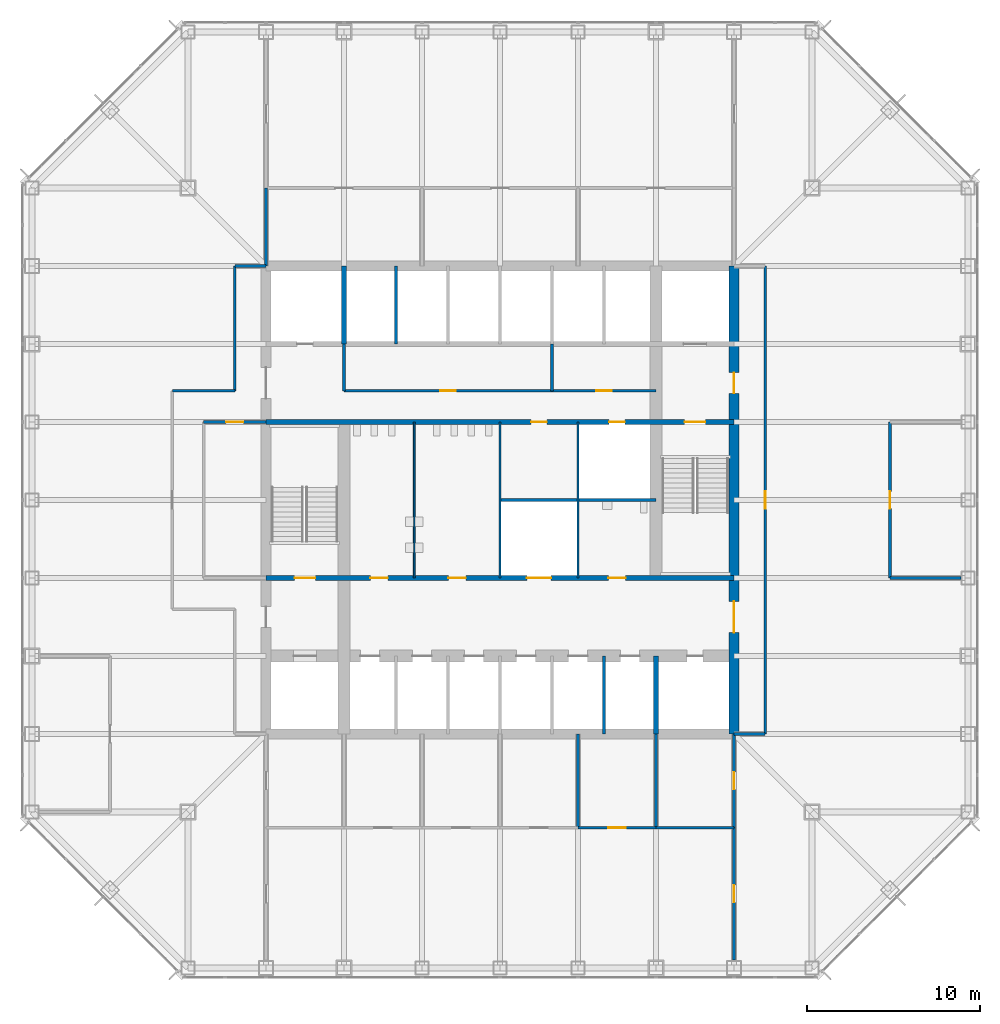
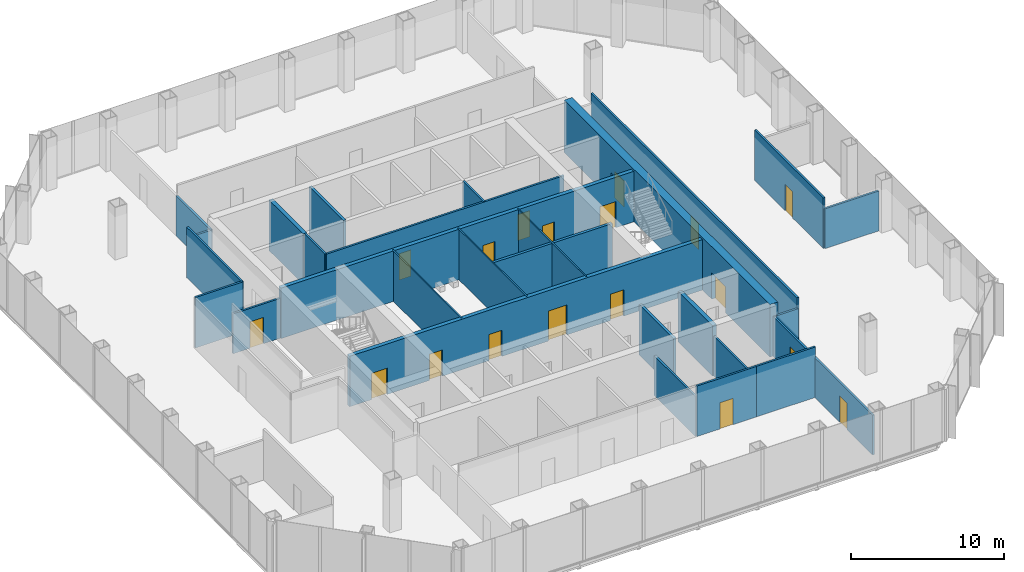
# One storey, part 9 of 12: 29 walls, 18 doors, 18 openings.
"""IFC4 building model written with IfcOpenShell, lengths in metres."""

from ifc_helpers import new_model, si_unit, direction, frame, frame_2d, origin, place, context, subcontext, project, spatial, rectangle, extrude, material, layer, layer_set, type_object, element, fill, save


model = new_model("IFC4")

# Units and contexts
model_context = context("Model", 3, precision=1e-05, world=origin(), true_north=direction((0.0, 1.0)))
body_context = subcontext(model_context, "Body", "Model", "MODEL_VIEW")
ifc_project = project(units=[si_unit("LENGTHUNIT", "METRE"), si_unit("AREAUNIT", "SQUARE_METRE"), si_unit("VOLUMEUNIT", "CUBIC_METRE"), si_unit("PLANEANGLEUNIT", "RADIAN"), si_unit("MASSUNIT", "GRAM", prefix="KILO")], contexts=[model_context])

# Site, building, storey
site_placement = place(None, origin())
site = spatial("IfcSite", under=ifc_project, at=site_placement, CompositionType="ELEMENT")
building_placement = place(site_placement, origin())
building = spatial("IfcBuilding", under=site, at=building_placement, Name="Corais Broadcast Tower", CompositionType="ELEMENT")
storey_placement = place(building_placement, frame((0.0, 0.0, 54.199951171875)))
storey = spatial("IfcBuildingStorey", under=building, at=storey_placement, Name="L11", CompositionType="ELEMENT", Elevation=54.199951171875)

# Walls
ifc_material_1 = material(Name="Concrete blockwork class A, grouted, two-hour", Category="masonry")
ifc_layer_1 = layer(ifc_material_1, 0.300048828125)
ifc_layer_set_1 = layer_set([ifc_layer_1], Name="Concrete blockwork class A, grouted, two-hour")
wall_type_1 = type_object("IfcWallType", Name="Core lobby wall 300", PredefinedType="SOLIDWALL", material=ifc_layer_set_1)
for number, where, z_axis, x_axis, name in (
    (1, (18.0, 36.0, 0.0), (0.0, 0.0, 1.0), (0.0, 1.0, 0.0), "CL1 core shaft wall X18B L11"),
    (2, (36.0, 13.5, 0.0), (0.0, 0.0, 1.0), (0.0, 1.0, 0.0), "CL1 core shaft wall X36A L11"),
):
    element("IfcWall", number, at=place(storey_placement, frame(where, z_axis=z_axis, x_axis=x_axis)), inside=storey, type_object=wall_type_1, Name=name, PredefinedType="SOLIDWALL", context=body_context, shape_type="SweptSolid", body=[
        extrude(rectangle(XDim=4.5, YDim=0.300048828125, at=frame_2d((2.25, 0.0))), origin(), (0.0, 0.0, 1.0), 4.0400390625),
    ])

# Wall, openings, doors
wall_1_placement = place(storey_placement, frame((13.5, 22.5, 0.0), z_axis=(0.0, 0.0, 1.0), x_axis=(1.0, 0.0, 0.0)))
wall_1 = element("IfcWall", 3, at=wall_1_placement, inside=storey, type_object=wall_type_1, Name="CL1 core lobby wall Y225 L11", PredefinedType="SOLIDWALL", context=body_context, shape_type="SweptSolid", body=[
    extrude(rectangle(XDim=27.0, YDim=0.300048828125, at=frame_2d((13.5, 0.0))), origin(), (0.0, 0.0, 1.0), 4.0400390625),
])
opening_1_placement = place(wall_1_placement, frame((1.64990234375, 0.0, 0.0)))
opening_1 = element("IfcOpeningElement", 4, at=opening_1_placement, cuts=wall_1, Name="Opening FD1", PredefinedType="OPENING", context=body_context, shape_type="SweptSolid", body=[
    extrude(rectangle(XDim=1.199951171875, YDim=2.10009765625, at=frame_2d((0.60009765625, 1.050048828125))), frame((0.0, 0.159912109375, 0.0), z_axis=(0.0, -1.0, 0.0), x_axis=(1.0, 0.0, 0.0)), (0.0, 0.0, 1.0), 0.320068359375),
])
opening_2_placement = place(wall_1_placement, frame((6.02490234375, 0.0, 0.0)))
opening_2 = element("IfcOpeningElement", 5, at=opening_2_placement, cuts=wall_1, Name="Opening WD1", PredefinedType="OPENING", context=body_context, shape_type="SweptSolid", body=[
    extrude(rectangle(XDim=1.0, YDim=2.10009765625, at=frame_2d((0.5, 1.050048828125))), frame((0.0, 0.159912109375, 0.0), z_axis=(0.0, -1.0, 0.0), x_axis=(1.0, 0.0, 0.0)), (0.0, 0.0, 1.0), 0.320068359375),
])
opening_3_placement = place(wall_1_placement, frame((10.52490234375, 0.0, 0.0)))
opening_3 = element("IfcOpeningElement", 6, at=opening_3_placement, cuts=wall_1, Name="Opening WD1", PredefinedType="OPENING", context=body_context, shape_type="SweptSolid", body=[
    extrude(rectangle(XDim=1.0, YDim=2.10009765625, at=frame_2d((0.5, 1.050048828125))), frame((0.0, 0.159912109375, 0.0), z_axis=(0.0, -1.0, 0.0), x_axis=(1.0, 0.0, 0.0)), (0.0, 0.0, 1.0), 0.320068359375),
])
opening_4_placement = place(wall_1_placement, frame((19.75, 0.0, 0.0)))
opening_4 = element("IfcOpeningElement", 7, at=opening_4_placement, cuts=wall_1, Name="Opening WD1", PredefinedType="OPENING", context=body_context, shape_type="SweptSolid", body=[
    extrude(rectangle(XDim=1.0, YDim=2.10009765625, at=frame_2d((0.5, 1.050048828125))), frame((0.0, 0.159912109375, 0.0), z_axis=(0.0, -1.0, 0.0), x_axis=(1.0, 0.0, 0.0)), (0.0, 0.0, 1.0), 0.320068359375),
])
opening_5_placement = place(wall_1_placement, frame((15.050048828125, 0.0, 0.0)))
opening_5 = element("IfcOpeningElement", 8, at=opening_5_placement, cuts=wall_1, Name="Opening LD3", PredefinedType="OPENING", context=body_context, shape_type="SweptSolid", body=[
    extrude(rectangle(XDim=1.39990234375, YDim=2.39990234375, at=frame_2d((0.699951171875, 1.199951171875))), frame((0.0, 0.159912109375, 0.0), z_axis=(0.0, -1.0, 0.0), x_axis=(1.0, 0.0, 0.0)), (0.0, 0.0, 1.0), 0.320068359375),
])
ifc_material_2 = material(Name="Steel fire door", Category="steel")
door_type_1 = type_object("IfcDoorType", Name="Fire door 1200x2100", OperationType="SINGLE_SWING_LEFT", PredefinedType="DOOR", material=ifc_material_2)
door_1_placement = place(opening_1_placement, origin())
door_1 = element("IfcDoor", 9, at=door_1_placement, inside=storey, type_object=door_type_1, Name="FD1 stair A door L11", OperationType="SINGLE_SWING_LEFT", OverallHeight=2.10009765625, OverallWidth=1.199951171875, PredefinedType="DOOR", context=body_context, shape_type="SweptSolid", body=[
    extrude(rectangle(XDim=1.199951171875, YDim=2.10009765625, at=frame_2d((0.60009765625, 1.050048828125))), frame((0.0, 0.02490234375, 0.0), z_axis=(0.0, -1.0, 0.0), x_axis=(1.0, 0.0, 0.0)), (0.0, 0.0, 1.0), 0.050048828125),
])
fill(opening_1, door_1)
ifc_material_3 = material(Name="Stainless steel lift door", Category="steel")
door_type_2 = type_object("IfcDoorType", Name="Service lift landing door 1400x2400", OperationType="SLIDING_TO_LEFT", PredefinedType="DOOR", material=ifc_material_3)
door_2_placement = place(opening_5_placement, origin())
door_2 = element("IfcDoor", 10, at=door_2_placement, inside=storey, type_object=door_type_2, Name="LD3 SL1 landing door L11", OperationType="SLIDING_TO_LEFT", OverallHeight=2.39990234375, OverallWidth=1.39990234375, PredefinedType="DOOR", context=body_context, shape_type="SweptSolid", body=[
    extrude(rectangle(XDim=1.39990234375, YDim=2.39990234375, at=frame_2d((0.699951171875, 1.199951171875))), frame((0.0, 0.02490234375, 0.0), z_axis=(0.0, -1.0, 0.0), x_axis=(1.0, 0.0, 0.0)), (0.0, 0.0, 1.0), 0.050048828125),
])
fill(opening_5, door_2)
ifc_material_4 = material(Name="Timber door", Category="wood")
door_type_3 = type_object("IfcDoorType", Name="Toilet door 1000x2100", OperationType="SINGLE_SWING_LEFT", PredefinedType="DOOR", material=ifc_material_4)
door_3_placement = place(opening_2_placement, origin())
door_3 = element("IfcDoor", 11, at=door_3_placement, inside=storey, type_object=door_type_3, Name="WD1 WC male door L11", OperationType="SINGLE_SWING_LEFT", OverallHeight=2.10009765625, OverallWidth=1.0, PredefinedType="DOOR", context=body_context, shape_type="SweptSolid", body=[
    extrude(rectangle(XDim=1.0, YDim=2.10009765625, at=frame_2d((0.5, 1.050048828125))), frame((0.0, 0.02490234375, 0.0), z_axis=(0.0, -1.0, 0.0), x_axis=(1.0, 0.0, 0.0)), (0.0, 0.0, 1.0), 0.050048828125),
])
fill(opening_2, door_3)
door_4_placement = place(opening_3_placement, origin())
door_4 = element("IfcDoor", 12, at=door_4_placement, inside=storey, type_object=door_type_3, Name="WD1 WC female door L11", OperationType="SINGLE_SWING_LEFT", OverallHeight=2.10009765625, OverallWidth=1.0, PredefinedType="DOOR", context=body_context, shape_type="SweptSolid", body=[
    extrude(rectangle(XDim=1.0, YDim=2.10009765625, at=frame_2d((0.5, 1.050048828125))), frame((0.0, 0.02490234375, 0.0), z_axis=(0.0, -1.0, 0.0), x_axis=(1.0, 0.0, 0.0)), (0.0, 0.0, 1.0), 0.050048828125),
])
fill(opening_3, door_4)
door_5_placement = place(opening_4_placement, origin())
door_5 = element("IfcDoor", 13, at=door_5_placement, inside=storey, type_object=door_type_3, Name="WD1 accessible WC door L11", OperationType="SINGLE_SWING_RIGHT", OverallHeight=2.10009765625, OverallWidth=1.0, PredefinedType="DOOR", context=body_context, shape_type="SweptSolid", body=[
    extrude(rectangle(XDim=1.0, YDim=2.10009765625, at=frame_2d((0.5, 1.050048828125))), frame((0.0, 0.02490234375, 0.0), z_axis=(0.0, -1.0, 0.0), x_axis=(1.0, 0.0, 0.0)), (0.0, 0.0, 1.0), 0.050048828125),
])
fill(opening_4, door_5)

wall_2_placement = place(storey_placement, frame((13.5, 31.5, 0.0), z_axis=(0.0, 0.0, 1.0), x_axis=(1.0, 0.0, 0.0)))
wall_2 = element("IfcWall", 14, at=wall_2_placement, inside=storey, type_object=wall_type_1, Name="CL1 core lobby wall Y315 L11", PredefinedType="SOLIDWALL", context=body_context, shape_type="SweptSolid", body=[
    extrude(rectangle(XDim=27.0, YDim=0.300048828125, at=frame_2d((13.5, 0.0))), origin(), (0.0, 0.0, 1.0), 4.0400390625),
])
opening_6_placement = place(wall_2_placement, frame((24.14990234375, 0.0, 0.0)))
opening_6 = element("IfcOpeningElement", 15, at=opening_6_placement, cuts=wall_2, Name="Opening FD1", PredefinedType="OPENING", context=body_context, shape_type="SweptSolid", body=[
    extrude(rectangle(XDim=1.199951171875, YDim=2.10009765625, at=frame_2d((0.60009765625, 1.050048828125))), frame((0.0, 0.159912109375, 0.0), z_axis=(0.0, -1.0, 0.0), x_axis=(1.0, 0.0, 0.0)), (0.0, 0.0, 1.0), 0.320068359375),
])
opening_7_placement = place(wall_2_placement, frame((15.300048828125, 0.0, 0.0)))
opening_7 = element("IfcOpeningElement", 16, at=opening_7_placement, cuts=wall_2, Name="Opening RD1", PredefinedType="OPENING", context=body_context, shape_type="SweptSolid", body=[
    extrude(rectangle(XDim=0.89990234375, YDim=2.10009765625, at=frame_2d((0.449951171875, 1.050048828125))), frame((0.0, 0.159912109375, 0.0), z_axis=(0.0, -1.0, 0.0), x_axis=(1.0, 0.0, 0.0)), (0.0, 0.0, 1.0), 0.320068359375),
])
opening_8_placement = place(wall_2_placement, frame((19.800048828125, 0.0, 0.0)))
opening_8 = element("IfcOpeningElement", 17, at=opening_8_placement, cuts=wall_2, Name="Opening RD1", PredefinedType="OPENING", context=body_context, shape_type="SweptSolid", body=[
    extrude(rectangle(XDim=0.89990234375, YDim=2.10009765625, at=frame_2d((0.449951171875, 1.050048828125))), frame((0.0, 0.159912109375, 0.0), z_axis=(0.0, -1.0, 0.0), x_axis=(1.0, 0.0, 0.0)), (0.0, 0.0, 1.0), 0.320068359375),
])
door_6_placement = place(opening_6_placement, origin())
door_6 = element("IfcDoor", 18, at=door_6_placement, inside=storey, type_object=door_type_1, Name="FD1 stair B door L11", OperationType="SINGLE_SWING_RIGHT", OverallHeight=2.10009765625, OverallWidth=1.199951171875, PredefinedType="DOOR", context=body_context, shape_type="SweptSolid", body=[
    extrude(rectangle(XDim=1.199951171875, YDim=2.10009765625, at=frame_2d((0.60009765625, 1.050048828125))), frame((0.0, 0.02490234375, 0.0), z_axis=(0.0, -1.0, 0.0), x_axis=(1.0, 0.0, 0.0)), (0.0, 0.0, 1.0), 0.050048828125),
])
fill(opening_6, door_6)
ifc_material_5 = material(Name="Steel fire door", Category="steel")
door_type_4 = type_object("IfcDoorType", Name="Riser door 900x2100", OperationType="SINGLE_SWING_LEFT", PredefinedType="DOOR", material=ifc_material_5)
door_7_placement = place(opening_7_placement, origin())
door_7 = element("IfcDoor", 19, at=door_7_placement, inside=storey, type_object=door_type_4, Name="RD1 tea point door L11", OperationType="SINGLE_SWING_RIGHT", OverallHeight=2.10009765625, OverallWidth=0.89990234375, PredefinedType="DOOR", context=body_context, shape_type="SweptSolid", body=[
    extrude(rectangle(XDim=0.89990234375, YDim=2.10009765625, at=frame_2d((0.449951171875, 1.050048828125))), frame((0.0, 0.02490234375, 0.0), z_axis=(0.0, -1.0, 0.0), x_axis=(1.0, 0.0, 0.0)), (0.0, 0.0, 1.0), 0.050048828125),
])
fill(opening_7, door_7)
door_8_placement = place(opening_8_placement, origin())
door_8 = element("IfcDoor", 20, at=door_8_placement, inside=storey, type_object=door_type_4, Name="RD1 riser door L11", OperationType="SINGLE_SWING_RIGHT", OverallHeight=2.10009765625, OverallWidth=0.89990234375, PredefinedType="DOOR", context=body_context, shape_type="SweptSolid", body=[
    extrude(rectangle(XDim=0.89990234375, YDim=2.10009765625, at=frame_2d((0.449951171875, 1.050048828125))), frame((0.0, 0.02490234375, 0.0), z_axis=(0.0, -1.0, 0.0), x_axis=(1.0, 0.0, 0.0)), (0.0, 0.0, 1.0), 0.050048828125),
])
fill(opening_8, door_8)

ifc_material_6 = material(Name="Concrete C50/60", Category="concrete")
ifc_layer_2 = layer(ifc_material_6, 0.60009765625)
ifc_layer_set_2 = layer_set([ifc_layer_2], Name="Concrete C50/60")
wall_type_2 = type_object("IfcWallType", Name="Core wall 600", PredefinedType="SHEAR", material=ifc_layer_set_2)
wall_3_placement = place(storey_placement, frame((40.5, 13.5, 0.0), z_axis=(0.0, 0.0, 1.0), x_axis=(0.0, 1.0, 0.0)))
wall_3 = element("IfcWall", 21, at=wall_3_placement, inside=storey, type_object=wall_type_2, Name="CR600 core wall E L11", PredefinedType="SHEAR", context=body_context, shape_type="SweptSolid", body=[
    extrude(rectangle(XDim=27.0, YDim=0.60009765625, at=frame_2d((13.5, 0.0))), origin(), (0.0, 0.0, 1.0), 4.199951171875),
])
opening_9_placement = place(wall_3_placement, frame((5.85009765625, 0.0, 0.0)))
opening_9 = element("IfcOpeningElement", 22, at=opening_9_placement, cuts=wall_3, Name="Opening FD2", PredefinedType="OPENING", context=body_context, shape_type="SweptSolid", body=[
    extrude(rectangle(XDim=1.800048828125, YDim=2.10009765625, at=frame_2d((0.89990234375, 1.050048828125))), frame((0.0, 0.31005859375, 0.0), z_axis=(0.0, -1.0, 0.0), x_axis=(1.0, 0.0, 0.0)), (0.0, 0.0, 1.0), 0.6201171875),
])
opening_10_placement = place(wall_3_placement, frame((19.64990234375, 0.0, 0.0)))
opening_10 = element("IfcOpeningElement", 23, at=opening_10_placement, cuts=wall_3, Name="Opening FD1", PredefinedType="OPENING", context=body_context, shape_type="SweptSolid", body=[
    extrude(rectangle(XDim=1.199951171875, YDim=2.10009765625, at=frame_2d((0.60009765625, 1.050048828125))), frame((0.0, 0.31005859375, 0.0), z_axis=(0.0, -1.0, 0.0), x_axis=(1.0, 0.0, 0.0)), (0.0, 0.0, 1.0), 0.6201171875),
])
door_9_placement = place(opening_10_placement, origin())
door_9 = element("IfcDoor", 24, at=door_9_placement, inside=storey, type_object=door_type_1, Name="FD1 fire lobby B door L11", OperationType="SINGLE_SWING_RIGHT", OverallHeight=2.10009765625, OverallWidth=1.199951171875, PredefinedType="DOOR", context=body_context, shape_type="SweptSolid", body=[
    extrude(rectangle(XDim=1.199951171875, YDim=2.10009765625, at=frame_2d((0.60009765625, 1.050048828125))), frame((0.0, 0.02490234375, 0.0), z_axis=(0.0, -1.0, 0.0), x_axis=(1.0, 0.0, 0.0)), (0.0, 0.0, 1.0), 0.050048828125),
])
fill(opening_10, door_9)
ifc_material_7 = material(Name="Steel fire door", Category="steel")
door_type_5 = type_object("IfcDoorType", Name="Fire door pair 1800x2100", OperationType="DOUBLE_DOOR_SINGLE_SWING", PredefinedType="DOOR", material=ifc_material_7)
door_10_placement = place(opening_9_placement, origin())
door_10 = element("IfcDoor", 25, at=door_10_placement, inside=storey, type_object=door_type_5, Name="FD2 lift lobby door L11", OperationType="SINGLE_SWING_LEFT", OverallHeight=2.10009765625, OverallWidth=1.800048828125, PredefinedType="DOOR", context=body_context, shape_type="SweptSolid", body=[
    extrude(rectangle(XDim=1.800048828125, YDim=2.10009765625, at=frame_2d((0.89990234375, 1.050048828125))), frame((0.0, 0.02490234375, 0.0), z_axis=(0.0, -1.0, 0.0), x_axis=(1.0, 0.0, 0.0)), (0.0, 0.0, 1.0), 0.050048828125),
])
fill(opening_9, door_10)

ifc_material_8 = material(Name="Two layers of fire-rated gypsum board each side on steel studs", Category="steel")
ifc_layer_3 = layer(ifc_material_8, 0.14990234375)
ifc_layer_set_3 = layer_set([ifc_layer_3], Name="Two layers of fire-rated gypsum board each side on steel studs")
wall_type_3 = type_object("IfcWallType", Name="Fire-rated partition 150 EI 60", PredefinedType="PARTITIONING", material=ifc_layer_set_3)
wall_4_placement = place(storey_placement, frame((18.0, 33.300048828125, 0.0), z_axis=(0.0, 0.0, 1.0), x_axis=(1.0, 0.0, 0.0)))
wall_4 = element("IfcWall", 26, at=wall_4_placement, inside=storey, type_object=wall_type_3, Name="IW7 partition L11", PredefinedType="PARTITIONING", context=body_context, shape_type="SweptSolid", body=[
    extrude(rectangle(XDim=18.0, YDim=0.14990234375, at=frame_2d((9.0, 0.0))), origin(), (0.0, 0.0, 1.0), 4.0400390625),
])
opening_11_placement = place(wall_4_placement, frame((5.550048828125, 0.0, 0.0)))
opening_11 = element("IfcOpeningElement", 27, at=opening_11_placement, cuts=wall_4, Name="Opening RD1", PredefinedType="OPENING", context=body_context, shape_type="SweptSolid", body=[
    extrude(rectangle(XDim=0.89990234375, YDim=2.10009765625, at=frame_2d((0.449951171875, 1.050048828125))), frame((0.0, 0.0849609375, 0.0), z_axis=(0.0, -1.0, 0.0), x_axis=(1.0, 0.0, 0.0)), (0.0, 0.0, 1.0), 0.169921875),
])
opening_12_placement = place(wall_4_placement, frame((14.550048828125, 0.0, 0.0)))
opening_12 = element("IfcOpeningElement", 28, at=opening_12_placement, cuts=wall_4, Name="Opening RD1", PredefinedType="OPENING", context=body_context, shape_type="SweptSolid", body=[
    extrude(rectangle(XDim=0.89990234375, YDim=2.10009765625, at=frame_2d((0.449951171875, 1.050048828125))), frame((0.0, 0.0849609375, 0.0), z_axis=(0.0, -1.0, 0.0), x_axis=(1.0, 0.0, 0.0)), (0.0, 0.0, 1.0), 0.169921875),
])
door_11_placement = place(opening_11_placement, origin())
door_11 = element("IfcDoor", 29, at=door_11_placement, inside=storey, type_object=door_type_4, Name="RD1 locker room door L11", OperationType="SINGLE_SWING_LEFT", OverallHeight=2.10009765625, OverallWidth=0.89990234375, PredefinedType="DOOR", context=body_context, shape_type="SweptSolid", body=[
    extrude(rectangle(XDim=0.89990234375, YDim=2.10009765625, at=frame_2d((0.449951171875, 1.050048828125))), frame((0.0, 0.02490234375, 0.0), z_axis=(0.0, -1.0, 0.0), x_axis=(1.0, 0.0, 0.0)), (0.0, 0.0, 1.0), 0.050048828125),
])
fill(opening_11, door_11)
door_12_placement = place(opening_12_placement, origin())
door_12 = element("IfcDoor", 30, at=door_12_placement, inside=storey, type_object=door_type_4, Name="RD1 it equipment room door L11", OperationType="SINGLE_SWING_RIGHT", OverallHeight=2.10009765625, OverallWidth=0.89990234375, PredefinedType="DOOR", context=body_context, shape_type="SweptSolid", body=[
    extrude(rectangle(XDim=0.89990234375, YDim=2.10009765625, at=frame_2d((0.449951171875, 1.050048828125))), frame((0.0, 0.02490234375, 0.0), z_axis=(0.0, -1.0, 0.0), x_axis=(1.0, 0.0, 0.0)), (0.0, 0.0, 1.0), 0.050048828125),
])
fill(opening_12, door_12)

# Walls
for number, where, z_axis, x_axis, name in (
    (31, (18.0, 33.300048828125, 0.0), (0.0, 0.0, 1.0), (0.0, 1.0, 0.0), "IW7 partition L11"),
    (32, (30.0, 33.300048828125, 0.0), (0.0, 0.0, 1.0), (0.0, 1.0, 0.0), "IW7 partition L11"),
):
    element("IfcWall", number, at=place(storey_placement, frame(where, z_axis=z_axis, x_axis=x_axis)), inside=storey, type_object=wall_type_3, Name=name, PredefinedType="PARTITIONING", context=body_context, shape_type="SweptSolid", body=[
        extrude(rectangle(XDim=2.699951171875, YDim=0.14990234375, at=frame_2d((1.35009765625, 0.0))), origin(), (0.0, 0.0, 1.0), 4.0400390625),
    ])

# Wall, opening, door
ifc_material_9 = material(Name="Gypsum board on steel studs", Category="steel")
ifc_layer_4 = layer(ifc_material_9, 0.14990234375)
ifc_layer_set_4 = layer_set([ifc_layer_4], Name="Gypsum board on steel studs")
wall_type_4 = type_object("IfcWallType", Name="Partition 150", PredefinedType="PARTITIONING", material=ifc_layer_set_4)
wall_5_placement = place(storey_placement, frame((42.300048828125, 13.5, 0.0), z_axis=(0.0, 0.0, 1.0), x_axis=(0.0, 1.0, 0.0)))
wall_5 = element("IfcWall", 33, at=wall_5_placement, inside=storey, type_object=wall_type_4, Name="IW3 corridor wall L11", PredefinedType="PARTITIONING", context=body_context, shape_type="SweptSolid", body=[
    extrude(rectangle(XDim=27.0, YDim=0.14990234375, at=frame_2d((13.5, 0.0))), origin(), (0.0, 0.0, 1.0), 4.0400390625),
])
opening_13_placement = place(wall_5_placement, frame((13.0, 0.0, 0.0)))
opening_13 = element("IfcOpeningElement", 34, at=opening_13_placement, cuts=wall_5, Name="Opening D1", PredefinedType="OPENING", context=body_context, shape_type="SweptSolid", body=[
    extrude(rectangle(XDim=1.0, YDim=2.10009765625, at=frame_2d((0.5, 1.050048828125))), frame((0.0, 0.0849609375, 0.0), z_axis=(0.0, -1.0, 0.0), x_axis=(1.0, 0.0, 0.0)), (0.0, 0.0, 1.0), 0.169921875),
])
ifc_material_10 = material(Name="Timber door", Category="wood")
door_type_6 = type_object("IfcDoorType", Name="Single door 1000x2100", OperationType="SINGLE_SWING_LEFT", PredefinedType="DOOR", material=ifc_material_10)
door_13_placement = place(opening_13_placement, origin())
door_13 = element("IfcDoor", 35, at=door_13_placement, inside=storey, type_object=door_type_6, Name="D1 workplace door L11", OperationType="SINGLE_SWING_LEFT", OverallHeight=2.10009765625, OverallWidth=1.0, PredefinedType="DOOR", context=body_context, shape_type="SweptSolid", body=[
    extrude(rectangle(XDim=1.0, YDim=2.10009765625, at=frame_2d((0.5, 1.050048828125))), frame((0.0, 0.02490234375, 0.0), z_axis=(0.0, -1.0, 0.0), x_axis=(1.0, 0.0, 0.0)), (0.0, 0.0, 1.0), 0.050048828125),
])
fill(opening_13, door_13)

# Walls
wall_6_placement = place(storey_placement, frame((11.699951171875, 40.5, 0.0), z_axis=(0.0, 0.0, 1.0), x_axis=(0.0, -1.0, 0.0)))
element("IfcWall", 36, at=wall_6_placement, inside=storey, type_object=wall_type_4, Name="IW3 corridor wall L11", PredefinedType="PARTITIONING", context=body_context, shape_type="SweptSolid", body=[
    extrude(rectangle(XDim=7.199951171875, YDim=0.14990234375, at=frame_2d((3.60009765625, 0.0))), origin(), (0.0, 0.0, 1.0), 4.0400390625),
])
wall_7_placement = place(storey_placement, frame((11.699951171875, 33.300048828125, 0.0), z_axis=(0.0, 0.0, 1.0), x_axis=(-1.0, 0.0, 0.0)))
element("IfcWall", 37, at=wall_7_placement, inside=storey, type_object=wall_type_4, Name="IW3 corridor wall L11", PredefinedType="PARTITIONING", context=body_context, shape_type="SweptSolid", body=[
    extrude(rectangle(XDim=3.599853515625, YDim=0.14990234375, at=frame_2d((1.7998046875, 0.0))), origin(), (0.0, 0.0, 1.0), 4.0400390625),
])
for number, where, z_axis, x_axis, name in (
    (38, (13.5, 40.5, 0.0), (0.0, 0.0, 1.0), (-1.0, 0.0, 0.0), "IW3 corridor wall L11"),
    (39, (40.5, 13.5, 0.0), (0.0, 0.0, 1.0), (1.0, 0.0, 0.0), "IW3 corridor wall L11"),
):
    element("IfcWall", number, at=place(storey_placement, frame(where, z_axis=z_axis, x_axis=x_axis)), inside=storey, type_object=wall_type_4, Name=name, PredefinedType="PARTITIONING", context=body_context, shape_type="SweptSolid", body=[
        extrude(rectangle(XDim=1.800048828125, YDim=0.14990234375, at=frame_2d((0.89990234375, 0.0))), origin(), (0.0, 0.0, 1.0), 3.18896484375),
    ])
wall_8_placement = place(storey_placement, frame((31.5, 8.10009765625, 0.0), z_axis=(0.0, 0.0, 1.0), x_axis=(0.0, 1.0, 0.0)))
element("IfcWall", 40, at=wall_8_placement, inside=storey, type_object=wall_type_4, Name="IW3 partition L11", PredefinedType="PARTITIONING", context=body_context, shape_type="SweptSolid", body=[
    extrude(rectangle(XDim=5.39990234375, YDim=0.14990234375, at=frame_2d((2.699951171875, 0.0))), origin(), (0.0, 0.0, 1.0), 3.18896484375),
])

# Wall, opening, door
wall_9_placement = place(storey_placement, frame((31.5, 8.10009765625, 0.0), z_axis=(0.0, 0.0, 1.0), x_axis=(1.0, 0.0, 0.0)))
wall_9 = element("IfcWall", 41, at=wall_9_placement, inside=storey, type_object=wall_type_4, Name="IW3 partition L11", PredefinedType="PARTITIONING", context=body_context, shape_type="SweptSolid", body=[
    extrude(rectangle(XDim=4.5, YDim=0.14990234375, at=frame_2d((2.25, 0.0))), origin(), (0.0, 0.0, 1.0), 4.0400390625),
])
opening_14_placement = place(wall_9_placement, frame((1.75, 0.0, 0.0)))
opening_14 = element("IfcOpeningElement", 42, at=opening_14_placement, cuts=wall_9, Name="Opening D1", PredefinedType="OPENING", context=body_context, shape_type="SweptSolid", body=[
    extrude(rectangle(XDim=1.0, YDim=2.10009765625, at=frame_2d((0.5, 1.050048828125))), frame((0.0, 0.0849609375, 0.0), z_axis=(0.0, -1.0, 0.0), x_axis=(1.0, 0.0, 0.0)), (0.0, 0.0, 1.0), 0.169921875),
])
door_14_placement = place(opening_14_placement, origin())
door_14 = element("IfcDoor", 43, at=door_14_placement, inside=storey, type_object=door_type_6, Name="D1 Edit suite door", OperationType="SINGLE_SWING_LEFT", OverallHeight=2.10009765625, OverallWidth=1.0, PredefinedType="DOOR", context=body_context, shape_type="SweptSolid", body=[
    extrude(rectangle(XDim=1.0, YDim=2.10009765625, at=frame_2d((0.5, 1.050048828125))), frame((0.0, 0.02490234375, 0.0), z_axis=(0.0, -1.0, 0.0), x_axis=(1.0, 0.0, 0.0)), (0.0, 0.0, 1.0), 0.050048828125),
])
fill(opening_14, door_14)

# Walls
wall_10_placement = place(storey_placement, frame((36.0, 8.10009765625, 0.0), z_axis=(0.0, 0.0, 1.0), x_axis=(0.0, 1.0, 0.0)))
element("IfcWall", 44, at=wall_10_placement, inside=storey, type_object=wall_type_4, Name="IW3 partition L11", PredefinedType="PARTITIONING", context=body_context, shape_type="SweptSolid", body=[
    extrude(rectangle(XDim=5.39990234375, YDim=0.14990234375, at=frame_2d((2.699951171875, 0.0))), origin(), (0.0, 0.0, 1.0), 3.18896484375),
])
wall_11_placement = place(storey_placement, frame((36.0, 8.10009765625, 0.0), z_axis=(0.0, 0.0, 1.0), x_axis=(1.0, 0.0, 0.0)))
element("IfcWall", 45, at=wall_11_placement, inside=storey, type_object=wall_type_4, Name="IW3 partition L11", PredefinedType="PARTITIONING", context=body_context, shape_type="SweptSolid", body=[
    extrude(rectangle(XDim=4.5, YDim=0.14990234375, at=frame_2d((2.25, 0.0))), origin(), (0.0, 0.0, 1.0), 4.0400390625),
])

# Wall, opening, door
wall_12_placement = place(storey_placement, frame((40.5, 8.10009765625, 0.0), z_axis=(0.0, 0.0, 1.0), x_axis=(0.0, 1.0, 0.0)))
wall_12 = element("IfcWall", 46, at=wall_12_placement, inside=storey, type_object=wall_type_4, Name="IW3 partition L11", PredefinedType="PARTITIONING", context=body_context, shape_type="SweptSolid", body=[
    extrude(rectangle(XDim=5.39990234375, YDim=0.14990234375, at=frame_2d((2.699951171875, 0.0))), origin(), (0.0, 0.0, 1.0), 3.18896484375),
])
opening_15_placement = place(wall_12_placement, frame((2.199951171875, 0.0, 0.0)))
opening_15 = element("IfcOpeningElement", 47, at=opening_15_placement, cuts=wall_12, Name="Opening D1", PredefinedType="OPENING", context=body_context, shape_type="SweptSolid", body=[
    extrude(rectangle(XDim=1.0, YDim=2.10009765625, at=frame_2d((0.5, 1.050048828125))), frame((0.0, 0.0849609375, 0.0), z_axis=(0.0, -1.0, 0.0), x_axis=(1.0, 0.0, 0.0)), (0.0, 0.0, 1.0), 0.169921875),
])
door_15_placement = place(opening_15_placement, origin())
door_15 = element("IfcDoor", 48, at=door_15_placement, inside=storey, type_object=door_type_6, Name="D1 Edit suite door", OperationType="SINGLE_SWING_LEFT", OverallHeight=2.10009765625, OverallWidth=1.0, PredefinedType="DOOR", context=body_context, shape_type="SweptSolid", body=[
    extrude(rectangle(XDim=1.0, YDim=2.10009765625, at=frame_2d((0.5, 1.050048828125))), frame((0.0, 0.02490234375, 0.0), z_axis=(0.0, -1.0, 0.0), x_axis=(1.0, 0.0, 0.0)), (0.0, 0.0, 1.0), 0.050048828125),
])
fill(opening_15, door_15)

# Walls
wall_13_placement = place(storey_placement, frame((13.5, 45.0, 0.0), z_axis=(0.0, 0.0, 1.0), x_axis=(0.0, -1.0, 0.0)))
element("IfcWall", 49, at=wall_13_placement, inside=storey, type_object=wall_type_4, Name="IW3 partition L11", PredefinedType="PARTITIONING", context=body_context, shape_type="SweptSolid", body=[
    extrude(rectangle(XDim=4.5, YDim=0.14990234375, at=frame_2d((2.25, 0.0))), origin(), (0.0, 0.0, 1.0), 3.18896484375),
])
wall_14_placement = place(storey_placement, frame((49.5, 22.5, 0.0), z_axis=(0.0, 0.0, 1.0), x_axis=(1.0, 0.0, 0.0)))
element("IfcWall", 50, at=wall_14_placement, inside=storey, type_object=wall_type_4, Name="IW3 partition L11", PredefinedType="PARTITIONING", context=body_context, shape_type="SweptSolid", body=[
    extrude(rectangle(XDim=4.090087890625, YDim=0.14990234375, at=frame_2d((2.044921875, 0.0))), origin(), (0.0, 0.0, 1.0), 3.18896484375),
])

# Wall, opening, door
wall_15_placement = place(storey_placement, frame((49.5, 31.5, 0.0), z_axis=(0.0, 0.0, 1.0), x_axis=(0.0, -1.0, 0.0)))
wall_15 = element("IfcWall", 51, at=wall_15_placement, inside=storey, type_object=wall_type_4, Name="IW3 partition L11", PredefinedType="PARTITIONING", context=body_context, shape_type="SweptSolid", body=[
    extrude(rectangle(XDim=9.0, YDim=0.14990234375, at=frame_2d((4.5, 0.0))), origin(), (0.0, 0.0, 1.0), 4.0400390625),
])
opening_16_placement = place(wall_15_placement, frame((4.0, 0.0, 0.0)))
opening_16 = element("IfcOpeningElement", 52, at=opening_16_placement, cuts=wall_15, Name="Opening D1", PredefinedType="OPENING", context=body_context, shape_type="SweptSolid", body=[
    extrude(rectangle(XDim=1.0, YDim=2.10009765625, at=frame_2d((0.5, 1.050048828125))), frame((0.0, 0.0849609375, 0.0), z_axis=(0.0, -1.0, 0.0), x_axis=(1.0, 0.0, 0.0)), (0.0, 0.0, 1.0), 0.169921875),
])
door_16_placement = place(opening_16_placement, origin())
door_16 = element("IfcDoor", 53, at=door_16_placement, inside=storey, type_object=door_type_6, Name="D1 Meeting room door", OperationType="SINGLE_SWING_LEFT", OverallHeight=2.10009765625, OverallWidth=1.0, PredefinedType="DOOR", context=body_context, shape_type="SweptSolid", body=[
    extrude(rectangle(XDim=1.0, YDim=2.10009765625, at=frame_2d((0.5, 1.050048828125))), frame((0.0, 0.02490234375, 0.0), z_axis=(0.0, -1.0, 0.0), x_axis=(1.0, 0.0, 0.0)), (0.0, 0.0, 1.0), 0.050048828125),
])
fill(opening_16, door_16)

wall_16_placement = place(storey_placement, frame((13.5, 31.5, 0.0), z_axis=(0.0, 0.0, 1.0), x_axis=(-1.0, 0.0, 0.0)))
wall_16 = element("IfcWall", 54, at=wall_16_placement, inside=storey, type_object=wall_type_4, Name="IW3 partition L11", PredefinedType="PARTITIONING", context=body_context, shape_type="SweptSolid", body=[
    extrude(rectangle(XDim=3.60009765625, YDim=0.14990234375, at=frame_2d((1.800048828125, 0.0))), origin(), (0.0, 0.0, 1.0), 3.18896484375),
])
opening_17_placement = place(wall_16_placement, frame((1.300048828125, 0.0, 0.0)))
opening_17 = element("IfcOpeningElement", 55, at=opening_17_placement, cuts=wall_16, Name="Opening D1", PredefinedType="OPENING", context=body_context, shape_type="SweptSolid", body=[
    extrude(rectangle(XDim=1.0, YDim=2.10009765625, at=frame_2d((0.5, 1.050048828125))), frame((0.0, 0.0849609375, 0.0), z_axis=(0.0, -1.0, 0.0), x_axis=(1.0, 0.0, 0.0)), (0.0, 0.0, 1.0), 0.169921875),
])
door_17_placement = place(opening_17_placement, origin())
door_17 = element("IfcDoor", 56, at=door_17_placement, inside=storey, type_object=door_type_6, Name="D1 Pantry door", OperationType="SINGLE_SWING_LEFT", OverallHeight=2.10009765625, OverallWidth=1.0, PredefinedType="DOOR", context=body_context, shape_type="SweptSolid", body=[
    extrude(rectangle(XDim=1.0, YDim=2.10009765625, at=frame_2d((0.5, 1.050048828125))), frame((0.0, 0.02490234375, 0.0), z_axis=(0.0, -1.0, 0.0), x_axis=(1.0, 0.0, 0.0)), (0.0, 0.0, 1.0), 0.050048828125),
])
fill(opening_17, door_17)

wall_17_placement = place(storey_placement, frame((40.5, 0.445068359375, 0.0), z_axis=(0.0, 0.0, 1.0), x_axis=(0.0, 1.0, 0.0)))
wall_17 = element("IfcWall", 57, at=wall_17_placement, inside=storey, type_object=wall_type_4, Name="IW3 partition L11", PredefinedType="PARTITIONING", context=body_context, shape_type="SweptSolid", body=[
    extrude(rectangle(XDim=7.675048828125, YDim=0.14990234375, at=frame_2d((3.83740234375, 0.0))), origin(), (0.0, 0.0, 1.0), 3.18896484375),
])
opening_18_placement = place(wall_17_placement, frame((3.33740234375, 0.0, 0.0)))
opening_18 = element("IfcOpeningElement", 58, at=opening_18_placement, cuts=wall_17, Name="Opening D1", PredefinedType="OPENING", context=body_context, shape_type="SweptSolid", body=[
    extrude(rectangle(XDim=1.0, YDim=2.10009765625, at=frame_2d((0.5, 1.050048828125))), frame((0.0, 0.0849609375, 0.0), z_axis=(0.0, -1.0, 0.0), x_axis=(1.0, 0.0, 0.0)), (0.0, 0.0, 1.0), 0.169921875),
])
door_18_placement = place(opening_18_placement, origin())
door_18 = element("IfcDoor", 59, at=door_18_placement, inside=storey, type_object=door_type_6, Name="D1 team room door L11", OperationType="SINGLE_SWING_LEFT", OverallHeight=2.10009765625, OverallWidth=1.0, PredefinedType="DOOR", context=body_context, shape_type="SweptSolid", body=[
    extrude(rectangle(XDim=1.0, YDim=2.10009765625, at=frame_2d((0.5, 1.050048828125))), frame((0.0, 0.02490234375, 0.0), z_axis=(0.0, -1.0, 0.0), x_axis=(1.0, 0.0, 0.0)), (0.0, 0.0, 1.0), 0.050048828125),
])
fill(opening_18, door_18)

# Walls
ifc_material_11 = material(Name="Concrete blockwork class A, grouted, two-hour", Category="masonry")
ifc_layer_5 = layer(ifc_material_11, 0.199951171875)
ifc_layer_set_5 = layer_set([ifc_layer_5], Name="Concrete blockwork class A, grouted, two-hour")
wall_type_5 = type_object("IfcWallType", Name="Shaft wall 200", PredefinedType="PARTITIONING", material=ifc_layer_set_5)
for number, where, z_axis, x_axis, name in (
    (60, (21.0, 36.0, 0.0), (0.0, 0.0, 1.0), (0.0, 1.0, 0.0), "IW1 shaft wall L11"),
    (61, (33.0, 13.5, 0.0), (0.0, 0.0, 1.0), (0.0, 1.0, 0.0), "IW1 shaft wall L11"),
):
    element("IfcWall", number, at=place(storey_placement, frame(where, z_axis=z_axis, x_axis=x_axis)), inside=storey, type_object=wall_type_5, Name=name, PredefinedType="PARTITIONING", context=body_context, shape_type="SweptSolid", body=[
        extrude(rectangle(XDim=4.5, YDim=0.199951171875, at=frame_2d((2.25, 0.0))), origin(), (0.0, 0.0, 1.0), 4.0400390625),
    ])
wall_18_placement = place(storey_placement, frame((27.0, 27.0, 0.0), z_axis=(0.0, 0.0, 1.0), x_axis=(1.0, 0.0, 0.0)))
element("IfcWall", 62, at=wall_18_placement, inside=storey, type_object=wall_type_5, Name="IW1 shaft wall L11", PredefinedType="PARTITIONING", context=body_context, shape_type="SweptSolid", body=[
    extrude(rectangle(XDim=9.0, YDim=0.199951171875, at=frame_2d((4.5, 0.0))), origin(), (0.0, 0.0, 1.0), 4.0400390625),
])
ifc_material_12 = material(Name="Dense concrete blockwork class A, tiled both faces", Category="masonry")
ifc_layer_6 = layer(ifc_material_12, 0.10009765625)
ifc_layer_set_6 = layer_set([ifc_layer_6], Name="Dense concrete blockwork class A, tiled both faces")
wall_type_6 = type_object("IfcWallType", Name="Toilet wall 100", PredefinedType="PLUMBINGWALL", material=ifc_layer_set_6)
for number, where, z_axis, x_axis, name in (
    (63, (22.050048828125, 22.5, 0.0), (0.0, 0.0, 1.0), (0.0, 1.0, 0.0), "IW2 toilet wall L11"),
    (64, (27.0, 22.5, 0.0), (0.0, 0.0, 1.0), (0.0, 1.0, 0.0), "IW2 toilet wall L11"),
    (65, (31.5, 22.5, 0.0), (0.0, 0.0, 1.0), (0.0, 1.0, 0.0), "IW2 toilet wall L11"),
):
    element("IfcWall", number, at=place(storey_placement, frame(where, z_axis=z_axis, x_axis=x_axis)), inside=storey, type_object=wall_type_6, Name=name, PredefinedType="PLUMBINGWALL", context=body_context, shape_type="SweptSolid", body=[
        extrude(rectangle(XDim=9.0, YDim=0.10009765625, at=frame_2d((4.5, 0.0))), origin(), (0.0, 0.0, 1.0), 4.0400390625),
    ])

save(model, "model.ifc")
